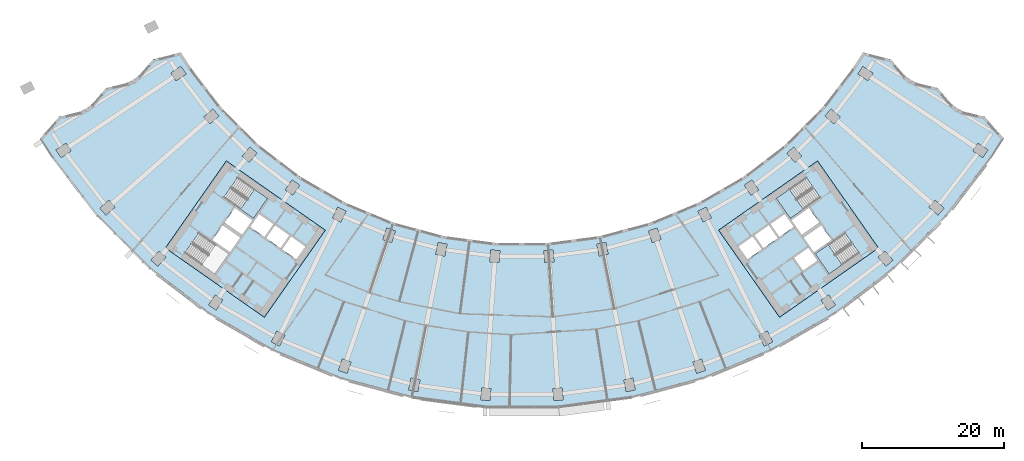
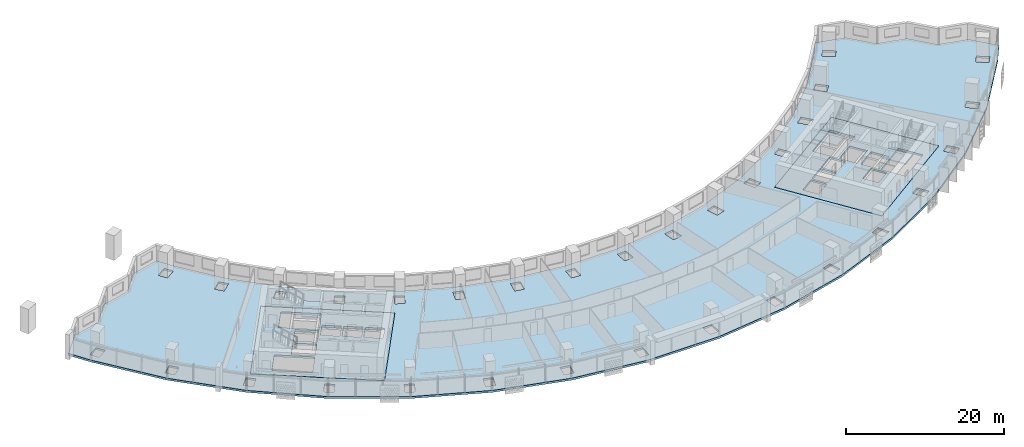
# One storey, part 2 of 31: 6 slabs, 3 elements without a shape of their own.
"""IFC4 building model written with IfcOpenShell, lengths in metres."""

from ifc_helpers import new_model, si_unit, direction, frame, origin, place, context, subcontext, project, spatial, polyline, outline, extrude, material, layer, layer_set, type_object, element, aggregate, save


model = new_model("IFC4")

# Units and contexts
model_context = context("Model", 3, precision=1e-05, world=origin(), true_north=direction((0.0, 1.0)))
body_context = subcontext(model_context, "Body", "Model", "MODEL_VIEW")
ifc_project = project(units=[si_unit("LENGTHUNIT", "METRE"), si_unit("AREAUNIT", "SQUARE_METRE"), si_unit("VOLUMEUNIT", "CUBIC_METRE"), si_unit("PLANEANGLEUNIT", "RADIAN"), si_unit("MASSUNIT", "GRAM", prefix="KILO")], contexts=[model_context])

# Site, building, storey
site_placement = place(None, origin())
site = spatial("IfcSite", under=ifc_project, at=site_placement, CompositionType="ELEMENT")
building_placement = place(site_placement, origin())
building = spatial("IfcBuilding", under=site, at=building_placement, Name="Qamariyya Broadcast Tower", CompositionType="ELEMENT")
storey_placement = place(building_placement, frame((0.0, 0.0, 74.699951171875)))
storey = spatial("IfcBuildingStorey", under=building, at=storey_placement, Name="L15", CompositionType="ELEMENT", Elevation=74.699951171875)

# Slabs
ifc_material_1 = material(Name="Concrete C40/50", Category="concrete")
ifc_layer_1 = layer(ifc_material_1, 0.300048828125)
ifc_layer_set_1 = layer_set([ifc_layer_1], Name="Core floor slab 300 mm Concrete C40/50")
slab_type_1 = type_object("IfcSlabType", Name="Core floor slab 300 mm Concrete C40/50", PredefinedType="FLOOR", material=ifc_layer_set_1)
slab_1_placement = place(storey_placement, frame((0.0, 0.0, -0.300048828125)))
element("IfcSlab", 1, at=slab_1_placement, inside=storey, type_object=slab_type_1, Name="k-W-L15-slab", PredefinedType="FLOOR", context=body_context, shape_type="SweptSolid", body=[
    extrude(outline(polyline([(-50.286376953125, -56.95751953125), (-36.32373046875, -66.734375), (-27.719970703125, -54.447021484375), (-41.6826171875, -44.67041015625), (-50.286376953125, -56.95751953125)]), holes=[polyline([(-31.80859375, -58.542724609375), (-33.8154296875, -57.137451171875), (-32.5537109375, -55.335205078125), (-30.546630859375, -56.740478515625), (-31.80859375, -58.542724609375)]), polyline([(-34.061279296875, -56.96533203125), (-36.068115234375, -55.56005859375), (-34.806396484375, -53.758056640625), (-32.79931640625, -55.163330078125), (-34.061279296875, -56.96533203125)]), polyline([(-36.31396484375, -55.387939453125), (-38.32080078125, -53.982666015625), (-37.058837890625, -52.1806640625), (-35.052001953125, -53.5859375), (-36.31396484375, -55.387939453125)]), polyline([(-39.742431640625, -55.489990234375), (-42.199951171875, -53.769287109375), (-43.6337890625, -55.817138671875), (-41.17626953125, -57.537841796875), (-39.742431640625, -55.489990234375)]), polyline([(-39.45556640625, -55.080322265625), (-41.9130859375, -53.359619140625), (-40.47900390625, -51.311767578125), (-38.021728515625, -53.032470703125), (-39.45556640625, -55.080322265625)]), polyline([(-42.06103515625, -49.837890625), (-37.849609375, -52.78662109375), (-35.870849609375, -49.960693359375), (-40.082275390625, -47.01171875), (-42.06103515625, -49.837890625)]), polyline([(-47.538818359375, -57.66064453125), (-43.3271484375, -60.609619140625), (-41.348388671875, -57.783447265625), (-45.559814453125, -54.834716796875), (-47.538818359375, -57.66064453125)])]), origin(), (0.0, 0.0, 1.0), 0.300048828125),
])
slab_2_placement = place(storey_placement, frame((0.0, 0.0, -0.300048828125)))
element("IfcSlab", 2, at=slab_2_placement, inside=storey, type_object=slab_type_1, Name="k-E-L15-slab", PredefinedType="FLOOR", context=body_context, shape_type="SweptSolid", body=[
    extrude(outline(polyline([(36.32373046875, -66.734375), (50.286376953125, -56.95751953125), (41.6826171875, -44.67041015625), (27.719970703125, -54.447021484375), (36.32373046875, -66.734375)]), holes=[polyline([(31.80859375, -58.542724609375), (33.8154296875, -57.137451171875), (32.5537109375, -55.335205078125), (30.546630859375, -56.740478515625), (31.80859375, -58.542724609375)]), polyline([(34.061279296875, -56.96533203125), (36.068115234375, -55.56005859375), (34.806396484375, -53.758056640625), (32.79931640625, -55.163330078125), (34.061279296875, -56.96533203125)]), polyline([(36.31396484375, -55.387939453125), (38.32080078125, -53.982666015625), (37.058837890625, -52.1806640625), (35.052001953125, -53.5859375), (36.31396484375, -55.387939453125)]), polyline([(38.378662109375, -58.3369140625), (40.3857421875, -56.931640625), (41.6474609375, -58.73388671875), (39.640625, -60.13916015625), (38.378662109375, -58.3369140625)]), polyline([(39.742431640625, -55.489990234375), (42.199951171875, -53.769287109375), (43.6337890625, -55.817138671875), (41.17626953125, -57.537841796875), (39.742431640625, -55.489990234375)]), polyline([(39.45556640625, -55.080322265625), (41.9130859375, -53.359619140625), (40.47900390625, -51.311767578125), (38.021728515625, -53.032470703125), (39.45556640625, -55.080322265625)]), polyline([(40.082275390625, -47.01171875), (35.870849609375, -49.960693359375), (37.849609375, -52.78662109375), (42.06103515625, -49.837890625), (40.082275390625, -47.01171875)]), polyline([(45.559814453125, -54.834716796875), (41.348388671875, -57.783447265625), (43.3271484375, -60.609619140625), (47.538818359375, -57.66064453125), (45.559814453125, -54.834716796875)])]), origin(), (0.0, 0.0, 1.0), 0.300048828125),
])
ifc_layer_2 = layer(ifc_material_1, 0.300048828125)
ifc_layer_set_2 = layer_set([ifc_layer_2], Name="Post-tensioned floor slab 300 C40/50")
slab_type_2 = type_object("IfcSlabType", Name="Post-tensioned floor slab 300 C40/50", PredefinedType="FLOOR", material=ifc_layer_set_2)
slab_3_placement = place(storey_placement, frame((0.0, 0.0, -0.300048828125)))
element("IfcSlab", 3, at=slab_3_placement, inside=storey, type_object=slab_type_2, Name="Floor slab S4 L15", PredefinedType="FLOOR", context=body_context, shape_type="SweptSolid", body=[
    extrude(outline(polyline([(-65.279296875, -38.460205078125), (-67.976318359375, -41.51318359375), (-66.2265625, -44.251220703125), (-59.884033203125, -52.516845703125), (-52.516845703125, -59.884033203125), (-44.251220703125, -66.2265625), (-35.228271484375, -71.43603515625), (-25.6025390625, -75.423095703125), (-15.5390625, -78.11962890625), (-5.20947265625, -79.4794921875), (5.20947265625, -79.4794921875), (15.5390625, -78.11962890625), (25.6025390625, -75.423095703125), (35.228271484375, -71.43603515625), (44.251220703125, -66.2265625), (52.516845703125, -59.884033203125), (59.884033203125, -52.516845703125), (66.2265625, -44.251220703125), (67.976318359375, -41.51318359375), (65.279296875, -38.460205078125), (61.347900390625, -37.46533203125), (58.650146484375, -34.41162109375), (54.719482421875, -33.417236328125), (52.0205078125, -30.363037109375), (48.091064453125, -29.369384765625), (46.853271484375, -31.306396484375), (42.3662109375, -37.154052734375), (37.154052734375, -42.3662109375), (31.306396484375, -46.853271484375), (24.9228515625, -50.538818359375), (18.113037109375, -53.359619140625), (10.993408203125, -55.267333984375), (3.685546875, -56.229248046875), (-3.685546875, -56.229248046875), (-10.993408203125, -55.267333984375), (-18.113037109375, -53.359619140625), (-24.9228515625, -50.538818359375), (-31.306396484375, -46.853271484375), (-37.154052734375, -42.3662109375), (-42.3662109375, -37.154052734375), (-46.853271484375, -31.306396484375), (-48.091064453125, -29.369384765625), (-52.0205078125, -30.363037109375), (-54.719482421875, -33.417236328125), (-58.650146484375, -34.41162109375), (-61.347900390625, -37.46533203125), (-65.279296875, -38.460205078125)]), holes=[polyline([(-5.789306640625, -78.38916015625), (-5.67822265625, -76.69287109375), (-4.380859375, -76.77783203125), (-4.4921875, -78.47412109375), (-5.789306640625, -78.38916015625)]), polyline([(-15.9716796875, -76.962890625), (-15.639892578125, -75.295654296875), (-14.364990234375, -75.54931640625), (-14.696533203125, -77.216552734375), (-15.9716796875, -76.962890625)]), polyline([(-25.880615234375, -74.2197265625), (-25.334228515625, -72.610107421875), (-24.103271484375, -73.02783203125), (-24.649658203125, -74.6376953125), (-25.880615234375, -74.2197265625)]), polyline([(-35.346923828125, -70.206787109375), (-34.594970703125, -68.68212890625), (-33.428955078125, -69.257080078125), (-34.180908203125, -70.78173828125), (-35.346923828125, -70.206787109375)]), polyline([(-44.208251953125, -64.992431640625), (-43.263916015625, -63.578857421875), (-42.182861328125, -64.301025390625), (-43.12744140625, -65.714599609375), (-44.208251953125, -64.992431640625)]), polyline([(-52.313232421875, -58.666015625), (-51.1923828125, -57.387939453125), (-50.215087890625, -58.2451171875), (-51.3359375, -59.523193359375), (-52.313232421875, -58.666015625)]), polyline([(-12.167236328125, -57.837646484375), (-11.835693359375, -56.170166015625), (-10.560791015625, -56.423828125), (-10.892333984375, -58.09130859375), (-12.167236328125, -57.837646484375)]), polyline([(-41.6826171875, -44.67041015625), (-27.719970703125, -54.447021484375), (-36.32373046875, -66.734375), (-50.286376953125, -56.95751953125), (-41.6826171875, -44.67041015625)]), polyline([(-19.066162109375, -54.144775390625), (-17.835205078125, -54.562744140625), (-18.381591796875, -56.172607421875), (-19.612548828125, -55.754638671875), (-19.066162109375, -54.144775390625)]), polyline([(-26.72216796875, -52.7177734375), (-25.970458984375, -51.193115234375), (-24.804443359375, -51.76806640625), (-25.556396484375, -53.292724609375), (-26.72216796875, -52.7177734375)]), polyline([(-59.523193359375, -51.3359375), (-58.2451171875, -50.215087890625), (-57.387939453125, -51.1923828125), (-58.666015625, -52.313232421875), (-59.523193359375, -51.3359375)]), polyline([(-33.374755859375, -48.77880859375), (-32.43017578125, -47.365234375), (-31.349365234375, -48.08740234375), (-32.293701171875, -49.5009765625), (-33.374755859375, -48.77880859375)]), polyline([(-39.4560546875, -44.005126953125), (-38.335205078125, -42.72705078125), (-37.357666015625, -43.584228515625), (-38.478759765625, -44.8623046875), (-39.4560546875, -44.005126953125)]), polyline([(-65.714599609375, -43.12744140625), (-64.301025390625, -42.182861328125), (-63.578857421875, -43.263916015625), (-64.992431640625, -44.208251953125), (-65.714599609375, -43.12744140625)]), polyline([(-44.8623046875, -38.478759765625), (-43.584228515625, -37.357666015625), (-42.72705078125, -38.335205078125), (-44.005126953125, -39.4560546875), (-44.8623046875, -38.478759765625)]), polyline([(-48.08740234375, -31.349365234375), (-47.365234375, -32.43017578125), (-48.77880859375, -33.374755859375), (-49.5009765625, -32.293701171875), (-48.08740234375, -31.349365234375)]), polyline([(4.4921875, -78.47412109375), (4.380859375, -76.77783203125), (5.67822265625, -76.69287109375), (5.789306640625, -78.38916015625), (4.4921875, -78.47412109375)]), polyline([(14.696533203125, -77.216552734375), (14.364990234375, -75.54931640625), (15.639892578125, -75.295654296875), (15.9716796875, -76.962890625), (14.696533203125, -77.216552734375)]), polyline([(24.649658203125, -74.6376953125), (24.103271484375, -73.02783203125), (25.334228515625, -72.610107421875), (25.880615234375, -74.2197265625), (24.649658203125, -74.6376953125)]), polyline([(34.180908203125, -70.78173828125), (33.428955078125, -69.257080078125), (34.594970703125, -68.68212890625), (35.346923828125, -70.206787109375), (34.180908203125, -70.78173828125)]), polyline([(43.12744140625, -65.714599609375), (42.182861328125, -64.301025390625), (43.263916015625, -63.578857421875), (44.208251953125, -64.992431640625), (43.12744140625, -65.714599609375)]), polyline([(51.3359375, -59.523193359375), (50.215087890625, -58.2451171875), (51.1923828125, -57.387939453125), (52.313232421875, -58.666015625), (51.3359375, -59.523193359375)]), polyline([(3.216796875, -59.015869140625), (3.10546875, -57.319580078125), (4.40283203125, -57.234619140625), (4.513916015625, -58.930908203125), (3.216796875, -59.015869140625)]), polyline([(-4.40283203125, -57.234619140625), (-3.10546875, -57.319580078125), (-3.216796875, -59.015869140625), (-4.513916015625, -58.930908203125), (-4.40283203125, -57.234619140625)]), polyline([(10.560791015625, -56.423828125), (11.835693359375, -56.170166015625), (12.167236328125, -57.837646484375), (10.892333984375, -58.09130859375), (10.560791015625, -56.423828125)]), polyline([(36.32373046875, -66.734375), (27.719970703125, -54.447021484375), (41.6826171875, -44.67041015625), (50.286376953125, -56.95751953125), (36.32373046875, -66.734375)]), polyline([(18.381591796875, -56.172607421875), (17.835205078125, -54.562744140625), (19.066162109375, -54.144775390625), (19.612548828125, -55.754638671875), (18.381591796875, -56.172607421875)]), polyline([(25.556396484375, -53.292724609375), (24.804443359375, -51.76806640625), (25.970458984375, -51.193115234375), (26.72216796875, -52.7177734375), (25.556396484375, -53.292724609375)]), polyline([(58.666015625, -52.313232421875), (57.387939453125, -51.1923828125), (58.2451171875, -50.215087890625), (59.523193359375, -51.3359375), (58.666015625, -52.313232421875)]), polyline([(32.293701171875, -49.5009765625), (31.349365234375, -48.08740234375), (32.43017578125, -47.365234375), (33.374755859375, -48.77880859375), (32.293701171875, -49.5009765625)]), polyline([(38.478759765625, -44.8623046875), (37.357666015625, -43.584228515625), (38.335205078125, -42.72705078125), (39.4560546875, -44.005126953125), (38.478759765625, -44.8623046875)]), polyline([(64.992431640625, -44.208251953125), (63.578857421875, -43.263916015625), (64.301025390625, -42.182861328125), (65.714599609375, -43.12744140625), (64.992431640625, -44.208251953125)]), polyline([(42.72705078125, -38.335205078125), (43.584228515625, -37.357666015625), (44.8623046875, -38.478759765625), (44.005126953125, -39.4560546875), (42.72705078125, -38.335205078125)]), polyline([(47.365234375, -32.43017578125), (48.08740234375, -31.349365234375), (49.5009765625, -32.293701171875), (48.77880859375, -33.374755859375), (47.365234375, -32.43017578125)])]), origin(), (0.0, 0.0, 1.0), 0.300048828125),
])

# Stair, slab
ifc_material_2 = material(Name="Concrete C50/60", Category="concrete")
stair_type = type_object("IfcStairType", Name="Exit stair 22 risers of 173 mm", PredefinedType="HALF_TURN_STAIR", material=ifc_material_2)
stair_1_placement = place(storey_placement, origin())
stair_1 = element("IfcStair", 4, at=stair_1_placement, inside=storey, type_object=stair_type, Name="L15 Stair W2", PredefinedType="HALF_TURN_STAIR")
ifc_layer_3 = layer(ifc_material_2, 0.199951171875)
ifc_layer_set_3 = layer_set([ifc_layer_3], Name="Stair landing")
slab_type_3 = type_object("IfcSlabType", Name="Stair landing", PredefinedType="LANDING", material=ifc_layer_set_3)
slab_4_placement = place(storey_placement, frame((0.0, 0.0, 1.699951171875)))
slab_4 = element("IfcSlab", 5, at=slab_4_placement, type_object=slab_type_3, Name="ST-W2 landing 1", PredefinedType="LANDING", context=body_context, shape_type="SweptSolid", body=[
    extrude(outline(polyline([(-39.692138671875, -51.49658203125), (-37.849609375, -52.78662109375), (-35.870849609375, -49.960693359375), (-37.71337890625, -48.67041015625), (-39.692138671875, -51.49658203125)])), origin(), (0.0, 0.0, 1.0), 0.2001953125),
])
aggregate(stair_1, [slab_4])

stair_2_placement = place(storey_placement, origin())
stair_2 = element("IfcStair", 6, at=stair_2_placement, inside=storey, type_object=stair_type, Name="L15 Stair E2", PredefinedType="HALF_TURN_STAIR")
slab_5_placement = place(storey_placement, frame((0.0, 0.0, 1.699951171875)))
slab_5 = element("IfcSlab", 7, at=slab_5_placement, type_object=slab_type_3, Name="ST-E2 landing 1", PredefinedType="LANDING", context=body_context, shape_type="SweptSolid", body=[
    extrude(outline(polyline([(37.71337890625, -48.67041015625), (35.870849609375, -49.960693359375), (37.849609375, -52.78662109375), (39.692138671875, -51.49658203125), (37.71337890625, -48.67041015625)])), origin(), (0.0, 0.0, 1.0), 0.2001953125),
])
aggregate(stair_2, [slab_5])

stair_3_placement = place(storey_placement, origin())
stair_3 = element("IfcStair", 8, at=stair_3_placement, inside=storey, type_object=stair_type, Name="L15 Stair E1", PredefinedType="HALF_TURN_STAIR")
slab_6_placement = place(storey_placement, frame((0.0, 0.0, 1.699951171875)))
slab_6 = element("IfcSlab", 9, at=slab_6_placement, type_object=slab_type_3, Name="ST-E1 landing 1", PredefinedType="LANDING", context=body_context, shape_type="SweptSolid", body=[
    extrude(outline(polyline([(43.19091796875, -56.493408203125), (41.348388671875, -57.783447265625), (43.3271484375, -60.609619140625), (45.169677734375, -59.319580078125), (43.19091796875, -56.493408203125)])), origin(), (0.0, 0.0, 1.0), 0.2001953125),
])
aggregate(stair_3, [slab_6])

save(model, "model.ifc")
